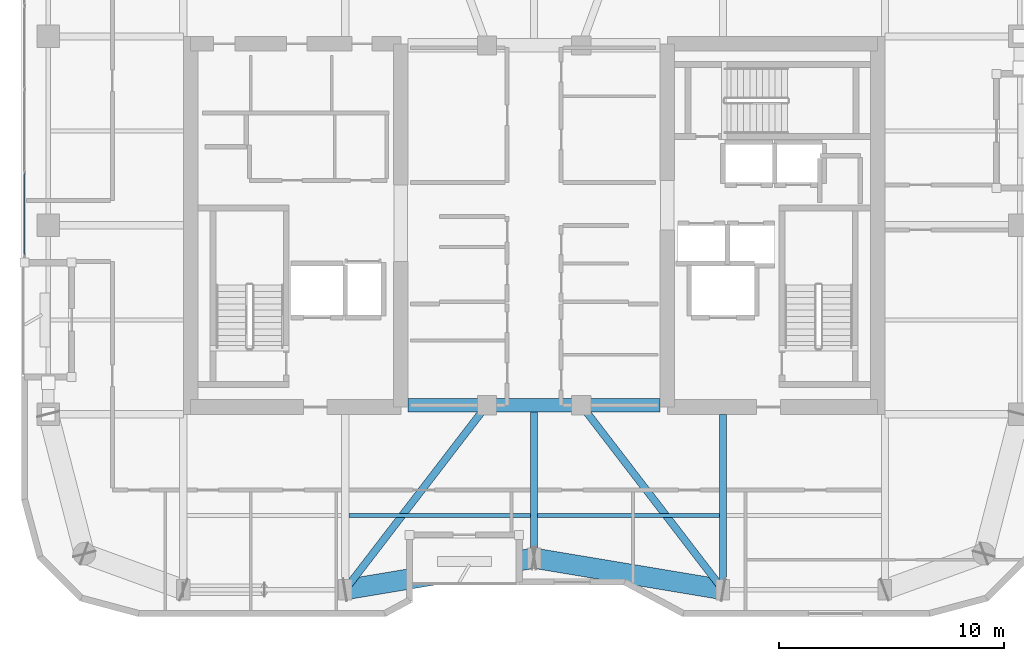
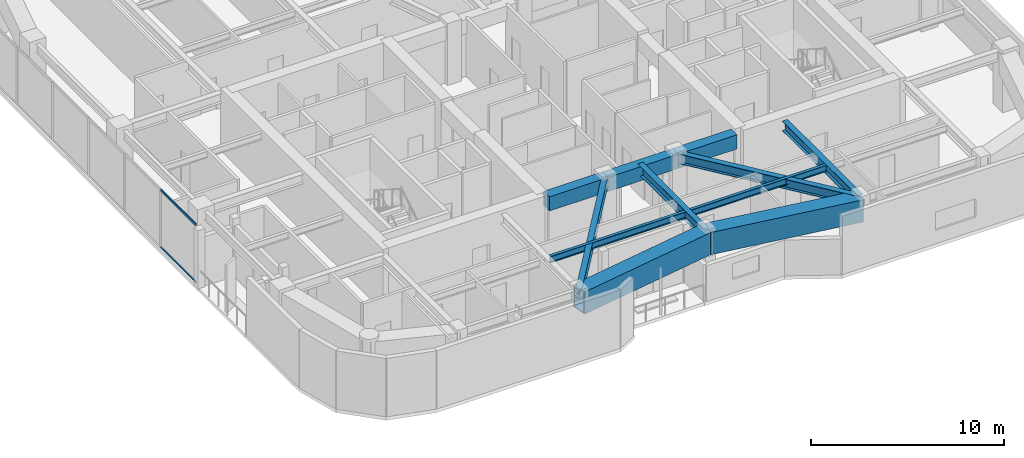
# One storey, part 3 of 22: 11 beams, 2 members, 1 element without a shape of its own.
"""IFC4 building model written with IfcOpenShell, lengths in metres."""

from ifc_helpers import new_model, si_unit, direction, frame, origin, origin_2d, place, context, subcontext, project, spatial, rectangle, hollow_rectangle, i_section, extrude, material, layer, layer_set, material_profile, profile_set, type_object, element, aggregate, save


model = new_model("IFC4")

# Units and contexts
model_context = context("Model", 3, precision=1e-05, world=origin(), true_north=direction((0.0, 1.0)))
body_context = subcontext(model_context, "Body", "Model", "MODEL_VIEW")
ifc_project = project(units=[si_unit("LENGTHUNIT", "METRE"), si_unit("AREAUNIT", "SQUARE_METRE"), si_unit("VOLUMEUNIT", "CUBIC_METRE"), si_unit("PLANEANGLEUNIT", "RADIAN"), si_unit("MASSUNIT", "GRAM", prefix="KILO")], contexts=[model_context])

# Site, building, storey
site_placement = place(None, origin())
site = spatial("IfcSite", under=ifc_project, at=site_placement, CompositionType="ELEMENT")
building_placement = place(site_placement, origin())
building = spatial("IfcBuilding", under=site, at=building_placement, Name="Kiyonajd Concourse Tower", CompositionType="ELEMENT")
storey_placement = place(building_placement, frame((0.0, 0.0, 243.300048828125)))
storey = spatial("IfcBuildingStorey", under=building, at=storey_placement, Name="L61", CompositionType="ELEMENT", Elevation=243.300048828125)

# Beams
ifc_material_1 = material(Name="Concrete C60/75", Category="concrete")
ifc_material_profile_1 = material_profile(ifc_material_1, rectangle(XDim=0.60009765625, YDim=0.89990234375, at=origin_2d()), Name="RCBM-600x900")
ifc_profile_set_1 = profile_set([ifc_material_profile_1], Name="Concrete C60/75")
beam_type_1 = type_object("IfcBeamType", Name="BM-COUP-900", PredefinedType="LINTEL", material=ifc_profile_set_1)
beam_1_placement = place(storey_placement, frame((42.39990234375, 28.0, 3.22998046875), z_axis=(1.0, 0.0, 0.0), x_axis=(0.0, 1.0, 0.0)))
element("IfcBeam", 1, at=beam_1_placement, inside=storey, type_object=beam_type_1, Name="L61 Core Coupling Beam S1", PredefinedType="LINTEL", context=body_context, shape_type="SweptSolid", body=[
    extrude(rectangle(XDim=0.60009765625, YDim=0.89990234375, at=origin_2d()), origin(), (0.0, 0.0, 1.0), 3.5),
])
beam_2_placement = place(storey_placement, frame((45.89990234375, 28.0, 3.22998046875), z_axis=(1.0, 0.0, 0.0), x_axis=(0.0, 1.0, 0.0)))
element("IfcBeam", 2, at=beam_2_placement, inside=storey, type_object=beam_type_1, Name="L61 Core Coupling Beam S2", PredefinedType="LINTEL", context=body_context, shape_type="SweptSolid", body=[
    extrude(rectangle(XDim=0.60009765625, YDim=0.89990234375, at=origin_2d()), origin(), (0.0, 0.0, 1.0), 4.2001953125),
])
beam_3_placement = place(storey_placement, frame((50.10009765625, 28.0, 3.22998046875), z_axis=(1.0, 0.0, 0.0), x_axis=(0.0, 1.0, 0.0)))
element("IfcBeam", 3, at=beam_3_placement, inside=storey, type_object=beam_type_1, Name="L61 Core Coupling Beam S3", PredefinedType="LINTEL", context=body_context, shape_type="SweptSolid", body=[
    extrude(rectangle(XDim=0.60009765625, YDim=0.89990234375, at=origin_2d()), origin(), (0.0, 0.0, 1.0), 3.5),
])
ifc_material_2 = material(Name="Steel ASTM A992 Grade 50", Category="steel")
ifc_material_profile_2 = material_profile(ifc_material_2, i_section(OverallWidth=0.180908203125, OverallDepth=0.4169921875, WebThickness=0.010986328125, FlangeThickness=0.018310546875, at=origin_2d()), Name="W410X85")
ifc_profile_set_2 = profile_set([ifc_material_profile_2], Name="Steel ASTM A992 Grade 50")
beam_type_2 = type_object("IfcBeamType", Name="BM-JST-410", PredefinedType="JOIST", material=ifc_profile_set_2)
for number, where, z_axis, x_axis, name in (
    (4, (39.761962890625, 23.10009765625, 3.471435546875), (1.0, 0.0, 0.0), (0.0, 1.0, 0.0), "L61 Secondary Floor Joist"),
    (5, (48.162109375, 23.10009765625, 3.471435546875), (1.0, 0.0, 0.0), (0.0, 1.0, 0.0), "L61 Secondary Floor Joist"),
):
    element("IfcBeam", number, at=place(storey_placement, frame(where, z_axis=z_axis, x_axis=x_axis)), inside=storey, type_object=beam_type_2, Name=name, PredefinedType="JOIST", context=body_context, shape_type="SweptSolid", body=[
        extrude(i_section(OverallWidth=0.180908203125, OverallDepth=0.4169921875, WebThickness=0.010986328125, FlangeThickness=0.018310546875, at=origin_2d()), origin(), (0.0, 0.0, 1.0), 8.075927734375),
    ])
ifc_material_profile_3 = material_profile(ifc_material_2, i_section(OverallWidth=0.326904296875, OverallDepth=0.6220703125, WebThickness=0.015380859375, FlangeThickness=0.0244140625, at=origin_2d()), Name="W610X195")
ifc_profile_set_3 = profile_set([ifc_material_profile_3], Name="Steel ASTM A992 Grade 50")
beam_type_3 = type_object("IfcBeamType", Name="BM-TWR-610A", PredefinedType="BEAM", material=ifc_profile_set_3)
for number, where, z_axis, x_axis, name in (
    (6, (39.60009765625, 19.800048828125, 3.368896484375), (0.609233709922, 0.792990722956, 0.0), (-0.792990722956, 0.609233709922, 0.0), "L61 Core Tie Girder"),
    (7, (50.10009765625, 28.0, 3.368896484375), (0.609233709922, -0.792990722956, 0.0), (0.792990722956, 0.609233709922, 0.0), "L61 Core Tie Girder"),
):
    element("IfcBeam", number, at=place(storey_placement, frame(where, z_axis=z_axis, x_axis=x_axis)), inside=storey, type_object=beam_type_3, Name=name, PredefinedType="BEAM", context=body_context, shape_type="SweptSolid", body=[
        extrude(i_section(OverallWidth=0.326904296875, OverallDepth=0.6220703125, WebThickness=0.015380859375, FlangeThickness=0.0244140625, at=origin_2d()), origin(), (0.0, 0.0, 1.0), 10.340576171875),
    ])
ifc_material_profile_4 = material_profile(ifc_material_2, i_section(OverallWidth=0.323974609375, OverallDepth=0.611083984375, WebThickness=0.0126953125, FlangeThickness=0.01904296875, at=origin_2d()), Name="W610X155")
ifc_profile_set_4 = profile_set([ifc_material_profile_4], Name="Steel ASTM A992 Grade 50")
beam_type_4 = type_object("IfcBeamType", Name="BM-TWR-610B", PredefinedType="BEAM", material=ifc_profile_set_4)
beam_4_placement = place(storey_placement, frame((56.39990234375, 19.800048828125, 3.37451171875), z_axis=(0.0, 1.0, 0.0), x_axis=(-1.0, 0.0, 0.0)))
element("IfcBeam", 8, at=beam_4_placement, inside=storey, type_object=beam_type_4, Name="L61 South Lease Girder", PredefinedType="BEAM", context=body_context, shape_type="SweptSolid", body=[
    extrude(i_section(OverallWidth=0.323974609375, OverallDepth=0.611083984375, WebThickness=0.0126953125, FlangeThickness=0.01904296875, at=origin_2d()), origin(), (0.0, 0.0, 1.0), 7.800048828125),
])
beam_5_placement = place(storey_placement, frame((48.0, 21.199951171875, 3.37451171875), z_axis=(0.0, 1.0, 0.0), x_axis=(-1.0, 0.0, 0.0)))
element("IfcBeam", 9, at=beam_5_placement, inside=storey, type_object=beam_type_4, Name="L61 South Ribbon Girder", PredefinedType="BEAM", context=body_context, shape_type="SweptSolid", body=[
    extrude(i_section(OverallWidth=0.323974609375, OverallDepth=0.611083984375, WebThickness=0.0126953125, FlangeThickness=0.01904296875, at=origin_2d()), origin(), (0.0, 0.0, 1.0), 6.800048828125),
])
ifc_material_3 = material(Name="Steel ASTM A572 Grade 50", Category="steel")
ifc_material_profile_5 = material_profile(ifc_material_3, hollow_rectangle(XDim=0.89990234375, YDim=1.39990234375, WallThickness=0.070068359375, at=origin_2d()), Name="BOX-1400x900x70")
ifc_profile_set_5 = profile_set([ifc_material_profile_5], Name="Steel ASTM A572 Grade 50")
beam_type_5 = type_object("IfcBeamType", Name="BM-XFER-1400", PredefinedType="BEAM", material=ifc_profile_set_5)
for number, where, z_axis, x_axis, name in (
    (10, (39.60009765625, 19.800048828125, 2.97998046875), (0.986395473479, 0.164389689151, 0.0), (-0.164389689151, 0.986395473479, 0.0), "L61 Perimeter Bundled Tube Spandrel"),
    (11, (48.0, 21.199951171875, 2.97998046875), (0.986395473479, -0.164389689151, 0.0), (0.164389689151, 0.986395473479, 0.0), "L61 Perimeter Bundled Tube Spandrel"),
):
    element("IfcBeam", number, at=place(storey_placement, frame(where, z_axis=z_axis, x_axis=x_axis)), inside=storey, type_object=beam_type_5, Name=name, PredefinedType="BEAM", context=body_context, shape_type="SweptSolid", body=[
        extrude(hollow_rectangle(XDim=0.89990234375, YDim=1.39990234375, WallThickness=0.070068359375, at=origin_2d()), origin(), (0.0, 0.0, 1.0), 8.515869140625),
    ])

# Curtain wall, members
ifc_material_4 = material(Name="Thermally Broken Anodised Aluminium", Category="aluminium")
ifc_layer = layer(ifc_material_4, 0.179931640625)
ifc_layer_set = layer_set([ifc_layer], Name="Thermally Broken Anodised Aluminium")
curtain_wall_type = type_object("IfcCurtainWallType", Name="CW-SYS-04", PredefinedType="NOTDEFINED", material=ifc_layer_set)
curtain_wall_placement = place(storey_placement, origin())
curtain_wall = element("IfcCurtainWall", 12, at=curtain_wall_placement, inside=storey, type_object=curtain_wall_type, Name="L61 Unitised Curtain Wall CW4", PredefinedType="NOTDEFINED")
ifc_material_profile_6 = material_profile(ifc_material_4, hollow_rectangle(XDim=0.06494140625, YDim=0.139892578125, WallThickness=0.00390625, at=origin_2d()), Name="TRAN-65x140")
ifc_profile_set_6 = profile_set([ifc_material_profile_6], Name="Thermally Broken Anodised Aluminium")
member_type = type_object("IfcMemberType", Name="MB-CW-TRAN1", PredefinedType="USERDEFINED", material=ifc_profile_set_6)
member_1_placement = place(storey_placement, frame((25.340087890625, 34.695068359375, 0.032470703125), z_axis=(0.0, 1.0, 0.0), x_axis=(-1.0, 0.0, 0.0)))
member_1 = element("IfcMember", 13, at=member_1_placement, type_object=member_type, Name="CW4 transom 1.1", ObjectType="TRANSOM", PredefinedType="USERDEFINED", context=body_context, shape_type="SweptSolid", body=[
    extrude(hollow_rectangle(XDim=0.06494140625, YDim=0.139892578125, WallThickness=0.00390625, at=origin_2d()), origin(), (0.0, 0.0, 1.0), 3.61279296875),
])
member_2_placement = place(storey_placement, frame((25.340087890625, 34.695068359375, 3.6474609375), z_axis=(0.0, 1.0, 0.0), x_axis=(-1.0, 0.0, 0.0)))
member_2 = element("IfcMember", 14, at=member_2_placement, type_object=member_type, Name="CW4 transom 1.2", ObjectType="TRANSOM", PredefinedType="USERDEFINED", context=body_context, shape_type="SweptSolid", body=[
    extrude(hollow_rectangle(XDim=0.06494140625, YDim=0.139892578125, WallThickness=0.00390625, at=origin_2d()), origin(), (0.0, 0.0, 1.0), 3.61279296875),
])
aggregate(curtain_wall, [member_1, member_2])

save(model, "model.ifc")
